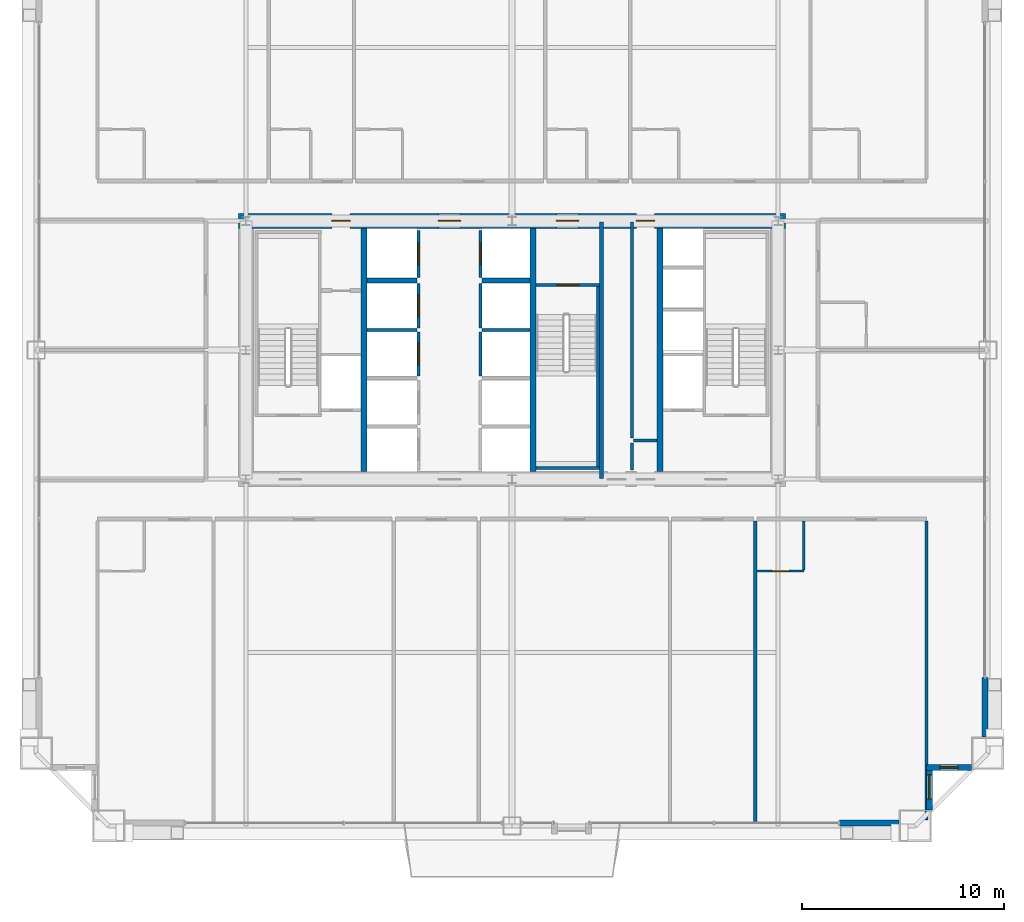
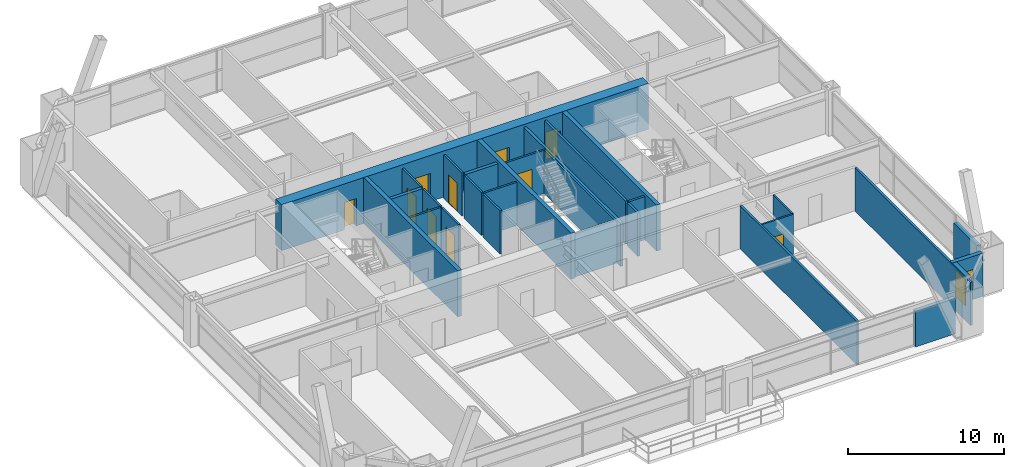
# One storey, part 38 of 41: 29 walls, 10 doors, 2 windows, 12 openings.
"""IFC4 building model written with IfcOpenShell, lengths in metres."""

from ifc_helpers import new_model, si_unit, direction, frame, frame_2d, origin, place, context, subcontext, project, spatial, rectangle, extrude, source, transform, mapped, material, layer, layer_set, type_object, element, fill, save


model = new_model("IFC4")

# Units and contexts
model_context = context("Model", 3, precision=1e-05, world=origin(), true_north=direction((0.0, 1.0)))
body_context = subcontext(model_context, "Body", "Model", "MODEL_VIEW")
ifc_project = project(units=[si_unit("LENGTHUNIT", "METRE"), si_unit("AREAUNIT", "SQUARE_METRE"), si_unit("VOLUMEUNIT", "CUBIC_METRE"), si_unit("PLANEANGLEUNIT", "RADIAN"), si_unit("MASSUNIT", "GRAM", prefix="KILO"), si_unit("THERMODYNAMICTEMPERATUREUNIT", "KELVIN"), si_unit("POWERUNIT", "WATT")], contexts=[model_context])

# Site, building, storey
site_placement = place(None, origin())
site = spatial("IfcSite", under=ifc_project, at=site_placement, CompositionType="ELEMENT")
building_placement = place(site_placement, origin())
building = spatial("IfcBuilding", under=site, at=building_placement, Name="Yuzanri Waterfront Tower", CompositionType="ELEMENT")
storey_placement = place(building_placement, frame((0.0, 0.0, 152.39990234375)))
storey = spatial("IfcBuildingStorey", under=building, at=storey_placement, Name="L40", CompositionType="ELEMENT", Elevation=152.39990234375)

# Wall, opening, door
ifc_material_1 = material(Name="Moisture-Resistant Gypsum Stud Wall", Category="gypsum")
ifc_layer_1 = layer(ifc_material_1, 0.1201171875)
ifc_layer_set_1 = layer_set([ifc_layer_1], Name="Moisture-Resistant Gypsum Stud Wall")
wall_type_1 = type_object("IfcWallType", Name="Bathroom and Kitchen Wet Partition 120", PredefinedType="PARTITIONING", material=ifc_layer_set_1)
wall_1_placement = place(storey_placement, frame((49.14208984375, 14.840087890625, 0.0), z_axis=(0.0, 0.0, 1.0), x_axis=(1.0, 0.0, 0.0)))
wall_1 = element("IfcWall", 1, at=wall_1_placement, inside=storey, type_object=wall_type_1, Name="L40 Partition UW-L40-S6-BS", PredefinedType="PARTITIONING", context=body_context, shape_type="SweptSolid", body=[
    extrude(rectangle(XDim=2.329833984375, YDim=0.1201171875, at=frame_2d((1.1650390625, 0.0))), origin(), (0.0, 0.0, 1.0), 3.380126953125),
])
opening_1_placement = place(wall_1_placement, frame((0.739990234375, 0.0, 0.0)))
opening_1 = element("IfcOpeningElement", 2, at=opening_1_placement, cuts=wall_1, Name="Opening ID-0850", PredefinedType="OPENING", context=body_context, shape_type="SweptSolid", body=[
    extrude(rectangle(XDim=0.85009765625, YDim=2.10009765625, at=frame_2d((0.425048828125, 1.050048828125))), frame((0.0, 0.074951171875, 0.0), z_axis=(0.0, -1.0, 0.0), x_axis=(1.0, 0.0, 0.0)), (0.0, 0.0, 1.0), 0.14990234375),
])
ifc_material_2 = material(Name="Moisture-Resistant Lacquered Timber", Category="wood")
door_type_1 = type_object("IfcDoorType", Name="En-Suite Bathroom and Kitchen Swing Door 850x2100", OperationType="NOTDEFINED", PredefinedType="DOOR", material=ifc_material_2)
shared_shape_1 = source(origin(), body_context, "Body", "SweptSolid", [
    extrude(rectangle(XDim=0.85009765625, YDim=2.10009765625, at=frame_2d((0.425048828125, 1.050048828125))), frame((0.0, 0.02490234375, 0.0), z_axis=(0.0, -1.0, 0.0), x_axis=(1.0, 0.0, 0.0)), (0.0, 0.0, 1.0), 0.050048828125),
])
door_1_placement = place(opening_1_placement, origin())
door_1 = element("IfcDoor", 3, at=door_1_placement, inside=storey, type_object=door_type_1, Name="L40 Guest En-Suite Door", OperationType="SINGLE_SWING_LEFT", OverallHeight=2.10009765625, OverallWidth=0.85009765625, PredefinedType="DOOR", context=body_context, shape_type="MappedRepresentation", body=[
    mapped(shared_shape_1, transform((0.0, 0.0, 0.0), scale=1.0)),
])
fill(opening_1, door_1)

# Wall, opening, window
ifc_material_3 = material(Name="Honed Chongqing Dark Basalt Stone", Category="masonry")
ifc_layer_2 = layer(ifc_material_3, 0.300048828125)
ifc_layer_set_2 = layer_set([ifc_layer_2], Name="Honed Chongqing Dark Basalt Stone")
wall_type_2 = type_object("IfcWallType", Name="Bronze Rainscreen Insulated Spandrel Portal Wall 300", PredefinedType="SOLIDWALL", material=ifc_layer_set_2)
wall_2_placement = place(storey_placement, frame((57.550048828125, 5.10009765625, 0.0), z_axis=(0.0, 0.0, 1.0), x_axis=(1.0, 0.0, 0.0)))
wall_2 = element("IfcWall", 4, at=wall_2_placement, inside=storey, type_object=wall_type_2, Name="L40 Notched Corner Masonry Wall SE-X", PredefinedType="SOLIDWALL", context=body_context, shape_type="SweptSolid", body=[
    extrude(rectangle(XDim=2.25, YDim=0.300048828125, at=frame_2d((1.125, 0.0))), origin(), (0.0, 0.0, 1.0), 3.380126953125),
])
opening_2_placement = place(wall_2_placement, frame((0.675048828125, 0.0, 0.85009765625)))
opening_2 = element("IfcOpeningElement", 5, at=opening_2_placement, cuts=wall_2, Name="Opening WN-05", PredefinedType="OPENING", context=body_context, shape_type="SweptSolid", body=[
    extrude(rectangle(XDim=0.89990234375, YDim=1.5, at=frame_2d((0.449951171875, 0.75))), frame((0.0, 0.1650390625, 0.0), z_axis=(0.0, -1.0, 0.0), x_axis=(1.0, 0.0, 0.0)), (0.0, 0.0, 1.0), 0.329833984375),
])
ifc_material_4 = material(Name="Double-Silver Low-E Insulated Glass", Category="glass")
window_type_1 = type_object("IfcWindowType", Name="Anodized Bronze Service and Stairwell Smoke-Vent Window 900x1500", PartitioningType="SINGLE_PANEL", PredefinedType="WINDOW", material=ifc_material_4)
shared_shape_2 = source(origin(), body_context, "Body", "SweptSolid", [
    extrude(rectangle(XDim=0.89990234375, YDim=1.5, at=frame_2d((0.449951171875, 0.75))), frame((0.0, 0.030029296875, 0.0), z_axis=(0.0, -1.0, 0.0), x_axis=(1.0, 0.0, 0.0)), (0.0, 0.0, 1.0), 0.06005859375),
])
window_1_placement = place(opening_2_placement, origin())
window_1 = element("IfcWindow", 6, at=window_1_placement, inside=storey, type_object=window_type_1, Name="L40 Notched Corner Window SE-X", OverallHeight=1.5, OverallWidth=0.89990234375, PartitioningType="SINGLE_PANEL", PredefinedType="WINDOW", context=body_context, shape_type="MappedRepresentation", body=[
    mapped(shared_shape_2, transform((0.0, 0.0, 0.0), scale=1.0)),
])
fill(opening_2, window_1)

wall_3_placement = place(storey_placement, frame((57.699951171875, 3.0, 0.0), z_axis=(0.0, 0.0, 1.0), x_axis=(0.0, 1.0, 0.0)))
wall_3 = element("IfcWall", 7, at=wall_3_placement, inside=storey, type_object=wall_type_2, Name="L40 Notched Corner Masonry Wall SE-Y", PredefinedType="SOLIDWALL", context=body_context, shape_type="SweptSolid", body=[
    extrude(rectangle(XDim=2.25, YDim=0.300048828125, at=frame_2d((1.125, 0.0))), origin(), (0.0, 0.0, 1.0), 3.380126953125),
])
opening_3_placement = place(wall_3_placement, frame((0.52490234375, 0.0, 0.85009765625)))
opening_3 = element("IfcOpeningElement", 8, at=opening_3_placement, cuts=wall_3, Name="Opening WN-02", PredefinedType="OPENING", context=body_context, shape_type="SweptSolid", body=[
    extrude(rectangle(XDim=1.199951171875, YDim=2.10009765625, at=frame_2d((0.60009765625, 1.050048828125))), frame((0.0, 0.1650390625, 0.0), z_axis=(0.0, -1.0, 0.0), x_axis=(1.0, 0.0, 0.0)), (0.0, 0.0, 1.0), 0.329833984375),
])
ifc_material_5 = material(Name="Double-Silver Low-E Insulated Glass", Category="glass")
window_type_2 = type_object("IfcWindowType", Name="Anodized Bronze Notched Corner Deep-Set Slot Window 1200x2100", PartitioningType="SINGLE_PANEL", PredefinedType="WINDOW", material=ifc_material_5)
shared_shape_3 = source(origin(), body_context, "Body", "SweptSolid", [
    extrude(rectangle(XDim=1.199951171875, YDim=2.10009765625, at=frame_2d((0.60009765625, 1.050048828125))), frame((0.0, 0.030029296875, 0.0), z_axis=(0.0, -1.0, 0.0), x_axis=(1.0, 0.0, 0.0)), (0.0, 0.0, 1.0), 0.06005859375),
])
window_2_placement = place(opening_3_placement, origin())
window_2 = element("IfcWindow", 9, at=window_2_placement, inside=storey, type_object=window_type_2, Name="L40 Notched Corner Window SE-Y", OverallHeight=2.10009765625, OverallWidth=1.199951171875, PartitioningType="SINGLE_PANEL", PredefinedType="WINDOW", context=body_context, shape_type="MappedRepresentation", body=[
    mapped(shared_shape_3, transform((0.0, 0.0, 0.0), scale=1.0)),
])
fill(opening_3, window_2)

# Wall, openings, doors
ifc_material_6 = material(Name="Concrete C55", Category="concrete")
ifc_layer_3 = layer(ifc_material_6, 0.75)
ifc_layer_set_3 = layer_set([ifc_layer_3], Name="Concrete C55")
wall_type_3 = type_object("IfcWallType", Name="Concrete C55 Low-Mid Zone Core Shear Wall 750", PredefinedType="SHEAR", material=ifc_layer_set_3)
wall_4_placement = place(storey_placement, frame((23.425048828125, 32.199951171875, 0.0), z_axis=(0.0, 0.0, 1.0), x_axis=(1.0, 0.0, 0.0)))
wall_4 = element("IfcWall", 10, at=wall_4_placement, inside=storey, type_object=wall_type_3, Name="L40 Core North Shear Wall", PredefinedType="SHEAR", context=body_context, shape_type="SweptSolid", body=[
    extrude(rectangle(XDim=27.14990234375, YDim=0.75, at=frame_2d((13.574951171875, 0.0))), origin(), (0.0, 0.0, 1.0), 3.60009765625),
])
opening_4_placement = place(wall_4_placement, frame((4.64501953125, 0.0, 0.0)))
opening_4 = element("IfcOpeningElement", 11, at=opening_4_placement, cuts=wall_4, Name="Opening FD-0900", PredefinedType="OPENING", context=body_context, shape_type="SweptSolid", body=[
    extrude(rectangle(XDim=0.89990234375, YDim=2.14990234375, at=frame_2d((0.449951171875, 1.074951171875))), frame((0.0, 0.389892578125, 0.0), z_axis=(0.0, -1.0, 0.0), x_axis=(1.0, 0.0, 0.0)), (0.0, 0.0, 1.0), 0.77978515625),
])
opening_5_placement = place(wall_4_placement, frame((9.925048828125, 0.0, 0.0)))
opening_5 = element("IfcOpeningElement", 12, at=opening_5_placement, cuts=wall_4, Name="Opening FD-1100", PredefinedType="OPENING", context=body_context, shape_type="SweptSolid", body=[
    extrude(rectangle(XDim=1.10009765625, YDim=2.199951171875, at=frame_2d((0.550048828125, 1.10009765625))), frame((0.0, 0.389892578125, 0.0), z_axis=(0.0, -1.0, 0.0), x_axis=(1.0, 0.0, 0.0)), (0.0, 0.0, 1.0), 0.77978515625),
])
opening_6_placement = place(wall_4_placement, frame((15.77490234375, 0.0, 0.0)))
opening_6 = element("IfcOpeningElement", 13, at=opening_6_placement, cuts=wall_4, Name="Opening FD-1100", PredefinedType="OPENING", context=body_context, shape_type="SweptSolid", body=[
    extrude(rectangle(XDim=1.10009765625, YDim=2.199951171875, at=frame_2d((0.550048828125, 1.10009765625))), frame((0.0, 0.389892578125, 0.0), z_axis=(0.0, -1.0, 0.0), x_axis=(1.0, 0.0, 0.0)), (0.0, 0.0, 1.0), 0.77978515625),
])
opening_7_placement = place(wall_4_placement, frame((19.7451171875, 0.0, 0.0)))
opening_7 = element("IfcOpeningElement", 14, at=opening_7_placement, cuts=wall_4, Name="Opening FD-0900", PredefinedType="OPENING", context=body_context, shape_type="SweptSolid", body=[
    extrude(rectangle(XDim=0.89990234375, YDim=2.14990234375, at=frame_2d((0.449951171875, 1.074951171875))), frame((0.0, 0.389892578125, 0.0), z_axis=(0.0, -1.0, 0.0), x_axis=(1.0, 0.0, 0.0)), (0.0, 0.0, 1.0), 0.77978515625),
])
ifc_material_7 = material(Name="Painted Galvanized Fire Steel", Category="steel")
door_type_2 = type_object("IfcDoorType", Name="Smoke-Proof Stair and Lobby Fire Door 1100x2200", OperationType="NOTDEFINED", PredefinedType="DOOR", material=ifc_material_7)
shared_shape_4 = source(origin(), body_context, "Body", "SweptSolid", [
    extrude(rectangle(XDim=1.10009765625, YDim=2.199951171875, at=frame_2d((0.550048828125, 1.10009765625))), frame((0.0, 0.02490234375, 0.0), z_axis=(0.0, -1.0, 0.0), x_axis=(1.0, 0.0, 0.0)), (0.0, 0.0, 1.0), 0.050048828125),
])
door_2_placement = place(opening_5_placement, origin())
door_2 = element("IfcDoor", 15, at=door_2_placement, inside=storey, type_object=door_type_2, Name="L40 Central Lift Lobby North Door", OperationType="SINGLE_SWING_RIGHT", OverallHeight=2.199951171875, OverallWidth=1.10009765625, PredefinedType="DOOR", context=body_context, shape_type="MappedRepresentation", body=[
    mapped(shared_shape_4, transform((0.0, 0.0, 0.0), scale=1.0)),
])
fill(opening_5, door_2)
door_3_placement = place(opening_6_placement, origin())
door_3 = element("IfcDoor", 16, at=door_3_placement, inside=storey, type_object=door_type_2, Name="L40 North Stair Lobby Door", OperationType="SINGLE_SWING_LEFT", OverallHeight=2.199951171875, OverallWidth=1.10009765625, PredefinedType="DOOR", context=body_context, shape_type="MappedRepresentation", body=[
    mapped(shared_shape_4, transform((0.0, 0.0, 0.0), scale=1.0)),
])
fill(opening_6, door_3)
ifc_material_8 = material(Name="Painted Galvanized Fire Steel", Category="steel")
door_type_3 = type_object("IfcDoorType", Name="Riser and Service Room Fire Door 900x2150", OperationType="NOTDEFINED", PredefinedType="DOOR", material=ifc_material_8)
shared_shape_5 = source(origin(), body_context, "Body", "SweptSolid", [
    extrude(rectangle(XDim=0.89990234375, YDim=2.14990234375, at=frame_2d((0.449951171875, 1.074951171875))), frame((0.0, 0.02490234375, 0.0), z_axis=(0.0, -1.0, 0.0), x_axis=(1.0, 0.0, 0.0)), (0.0, 0.0, 1.0), 0.050048828125),
])
door_4_placement = place(opening_4_placement, origin())
door_4 = element("IfcDoor", 17, at=door_4_placement, inside=storey, type_object=door_type_3, Name="L40 Telecom Riser Door", OperationType="SINGLE_SWING_LEFT", OverallHeight=2.14990234375, OverallWidth=0.89990234375, PredefinedType="DOOR", context=body_context, shape_type="MappedRepresentation", body=[
    mapped(shared_shape_5, transform((0.0, 0.0, 0.0), scale=1.0)),
])
fill(opening_4, door_4)
door_5_placement = place(opening_7_placement, origin())
door_5 = element("IfcDoor", 18, at=door_5_placement, inside=storey, type_object=door_type_3, Name="L40 Linen Store Room", OperationType="SINGLE_SWING_LEFT", OverallHeight=2.14990234375, OverallWidth=0.89990234375, PredefinedType="DOOR", context=body_context, shape_type="MappedRepresentation", body=[
    mapped(shared_shape_5, transform((0.0, 0.0, 0.0), scale=1.0)),
])
fill(opening_7, door_5)

# Wall, opening, door
ifc_material_9 = material(Name="Concrete C40", Category="concrete")
ifc_layer_4 = layer(ifc_material_9, 0.139892578125)
ifc_layer_set_4 = layer_set([ifc_layer_4], Name="Concrete C40")
wall_type_4 = type_object("IfcWallType", Name="Core Stair Liner and Hoistway Shaft Wall 140", PredefinedType="SOLIDWALL", material=ifc_layer_set_4)
wall_5_placement = place(storey_placement, frame((32.3701171875, 24.5, 0.0), z_axis=(0.0, 0.0, 1.0), x_axis=(0.0, 1.0, 0.0)))
wall_5 = element("IfcWall", 19, at=wall_5_placement, inside=storey, type_object=wall_type_4, Name="L40 Lift PL-03 Front Shaft Wall", PredefinedType="SOLIDWALL", context=body_context, shape_type="SweptSolid", body=[
    extrude(rectangle(XDim=2.199951171875, YDim=0.139892578125, at=frame_2d((1.10009765625, 0.0))), origin(), (0.0, 0.0, 1.0), 3.380126953125),
])
opening_8_placement = place(wall_5_placement, frame((0.550048828125, 0.0, 0.0)))
opening_8 = element("IfcOpeningElement", 20, at=opening_8_placement, cuts=wall_5, Name="Opening LD-PL-03", PredefinedType="OPENING", context=body_context, shape_type="SweptSolid", body=[
    extrude(rectangle(XDim=1.10009765625, YDim=2.199951171875, at=frame_2d((0.550048828125, 1.10009765625))), frame((0.0, 0.0849609375, 0.0), z_axis=(0.0, -1.0, 0.0), x_axis=(1.0, 0.0, 0.0)), (0.0, 0.0, 1.0), 0.169677734375),
])
ifc_material_10 = material(Name="Brushed Bronze and Stainless Steel Cab", Category="steel")
door_type_4 = type_object("IfcDoorType", Name="Center-Parting Bronze Lift Landing Sliding Door 1100x2200", OperationType="NOTDEFINED", PredefinedType="DOOR", material=ifc_material_10)
shared_shape_6 = source(origin(), body_context, "Body", "SweptSolid", [
    extrude(rectangle(XDim=1.10009765625, YDim=2.199951171875, at=frame_2d((0.550048828125, 1.10009765625))), frame((0.0, 0.02490234375, 0.0), z_axis=(0.0, -1.0, 0.0), x_axis=(1.0, 0.0, 0.0)), (0.0, 0.0, 1.0), 0.050048828125),
])
door_6_placement = place(opening_8_placement, origin())
door_6 = element("IfcDoor", 21, at=door_6_placement, inside=storey, type_object=door_type_4, Name="L40 PL-03 Lift Landing Sliding Door", OperationType="SLIDING_TO_LEFT", OverallHeight=2.199951171875, OverallWidth=1.10009765625, PredefinedType="DOOR", context=body_context, shape_type="MappedRepresentation", body=[
    mapped(shared_shape_6, transform((0.0, 0.0, 0.0), scale=1.0)),
])
fill(opening_8, door_6)

wall_6_placement = place(storey_placement, frame((32.3701171875, 26.89990234375, 0.0), z_axis=(0.0, 0.0, 1.0), x_axis=(0.0, 1.0, 0.0)))
wall_6 = element("IfcWall", 22, at=wall_6_placement, inside=storey, type_object=wall_type_4, Name="L40 Lift PL-04 Front Shaft Wall", PredefinedType="SOLIDWALL", context=body_context, shape_type="SweptSolid", body=[
    extrude(rectangle(XDim=2.2001953125, YDim=0.139892578125, at=frame_2d((1.10009765625, 0.0))), origin(), (0.0, 0.0, 1.0), 3.380126953125),
])
opening_9_placement = place(wall_6_placement, frame((0.550048828125, 0.0, 0.0)))
opening_9 = element("IfcOpeningElement", 23, at=opening_9_placement, cuts=wall_6, Name="Opening LD-PL-04", PredefinedType="OPENING", context=body_context, shape_type="SweptSolid", body=[
    extrude(rectangle(XDim=1.10009765625, YDim=2.199951171875, at=frame_2d((0.550048828125, 1.10009765625))), frame((0.0, 0.0849609375, 0.0), z_axis=(0.0, -1.0, 0.0), x_axis=(1.0, 0.0, 0.0)), (0.0, 0.0, 1.0), 0.169677734375),
])
door_7_placement = place(opening_9_placement, origin())
door_7 = element("IfcDoor", 24, at=door_7_placement, inside=storey, type_object=door_type_4, Name="L40 PL-04 Lift Landing Sliding Door", OperationType="SLIDING_TO_RIGHT", OverallHeight=2.199951171875, OverallWidth=1.10009765625, PredefinedType="DOOR", context=body_context, shape_type="MappedRepresentation", body=[
    mapped(shared_shape_6, transform((0.0, 0.0, 0.0), scale=1.0)),
])
fill(opening_9, door_7)

wall_7_placement = place(storey_placement, frame((32.3701171875, 29.39990234375, 0.0), z_axis=(0.0, 0.0, 1.0), x_axis=(0.0, 1.0, 0.0)))
wall_7 = element("IfcWall", 25, at=wall_7_placement, inside=storey, type_object=wall_type_4, Name="L40 Lift SL-01 Front Shaft Wall", PredefinedType="SOLIDWALL", context=body_context, shape_type="SweptSolid", body=[
    extrude(rectangle(XDim=2.340087890625, YDim=0.139892578125, at=frame_2d((1.169921875, 0.0))), origin(), (0.0, 0.0, 1.0), 3.380126953125),
])
opening_10_placement = place(wall_7_placement, frame((0.6201171875, 0.0, 0.0)))
opening_10 = element("IfcOpeningElement", 26, at=opening_10_placement, cuts=wall_7, Name="Opening LD-SL-01", PredefinedType="OPENING", context=body_context, shape_type="SweptSolid", body=[
    extrude(rectangle(XDim=1.10009765625, YDim=2.199951171875, at=frame_2d((0.550048828125, 1.10009765625))), frame((0.0, 0.0849609375, 0.0), z_axis=(0.0, -1.0, 0.0), x_axis=(1.0, 0.0, 0.0)), (0.0, 0.0, 1.0), 0.169677734375),
])
door_8_placement = place(opening_10_placement, origin())
door_8 = element("IfcDoor", 27, at=door_8_placement, inside=storey, type_object=door_type_4, Name="L40 SL-01 Lift Landing Sliding Door", OperationType="SLIDING_TO_LEFT", OverallHeight=2.199951171875, OverallWidth=1.10009765625, PredefinedType="DOOR", context=body_context, shape_type="MappedRepresentation", body=[
    mapped(shared_shape_6, transform((0.0, 0.0, 0.0), scale=1.0)),
])
fill(opening_10, door_8)

wall_8_placement = place(storey_placement, frame((35.429931640625, 29.39990234375, 0.0), z_axis=(0.0, 0.0, 1.0), x_axis=(0.0, 1.0, 0.0)))
wall_8 = element("IfcWall", 28, at=wall_8_placement, inside=storey, type_object=wall_type_4, Name="L40 Lift SL-02 Front Shaft Wall", PredefinedType="SOLIDWALL", context=body_context, shape_type="SweptSolid", body=[
    extrude(rectangle(XDim=2.340087890625, YDim=0.139892578125, at=frame_2d((1.169921875, 0.0))), origin(), (0.0, 0.0, 1.0), 3.380126953125),
])
opening_11_placement = place(wall_8_placement, frame((0.6201171875, 0.0, 0.0)))
opening_11 = element("IfcOpeningElement", 29, at=opening_11_placement, cuts=wall_8, Name="Opening LD-SL-02", PredefinedType="OPENING", context=body_context, shape_type="SweptSolid", body=[
    extrude(rectangle(XDim=1.10009765625, YDim=2.199951171875, at=frame_2d((0.550048828125, 1.10009765625))), frame((0.0, 0.0849609375, 0.0), z_axis=(0.0, -1.0, 0.0), x_axis=(1.0, 0.0, 0.0)), (0.0, 0.0, 1.0), 0.169677734375),
])
door_9_placement = place(opening_11_placement, origin())
door_9 = element("IfcDoor", 30, at=door_9_placement, inside=storey, type_object=door_type_4, Name="L40 SL-02 Lift Landing Sliding Door", OperationType="SLIDING_TO_RIGHT", OverallHeight=2.199951171875, OverallWidth=1.10009765625, PredefinedType="DOOR", context=body_context, shape_type="MappedRepresentation", body=[
    mapped(shared_shape_6, transform((0.0, 0.0, 0.0), scale=1.0)),
])
fill(opening_11, door_9)

wall_9_placement = place(storey_placement, frame((38.199951171875, 29.030029296875, 0.0), z_axis=(0.0, 0.0, 1.0), x_axis=(1.0, 0.0, 0.0)))
wall_9 = element("IfcWall", 31, at=wall_9_placement, inside=storey, type_object=wall_type_4, Name="L40 Shaft Wall STW-L40-ST-03-N", PredefinedType="SOLIDWALL", context=body_context, shape_type="SweptSolid", body=[
    extrude(rectangle(XDim=3.14013671875, YDim=0.139892578125, at=frame_2d((1.570068359375, 0.0))), origin(), (0.0, 0.0, 1.0), 3.380126953125),
])
opening_12_placement = place(wall_9_placement, frame((1.02001953125, 0.0, 0.0)))
opening_12 = element("IfcOpeningElement", 32, at=opening_12_placement, cuts=wall_9, Name="Opening FD-1100", PredefinedType="OPENING", context=body_context, shape_type="SweptSolid", body=[
    extrude(rectangle(XDim=1.10009765625, YDim=2.199951171875, at=frame_2d((0.550048828125, 1.10009765625))), frame((0.0, 0.0849609375, 0.0), z_axis=(0.0, -1.0, 0.0), x_axis=(1.0, 0.0, 0.0)), (0.0, 0.0, 1.0), 0.169677734375),
])
door_10_placement = place(opening_12_placement, origin())
door_10 = element("IfcDoor", 33, at=door_10_placement, inside=storey, type_object=door_type_2, Name="L40 Stair ST-03 Fire Door", OperationType="SINGLE_SWING_LEFT", OverallHeight=2.199951171875, OverallWidth=1.10009765625, PredefinedType="DOOR", context=body_context, shape_type="MappedRepresentation", body=[
    mapped(shared_shape_4, transform((0.0, 0.0, 0.0), scale=1.0)),
])
fill(opening_12, door_10)

# Walls
ifc_material_11 = material(Name="Concrete C50", Category="concrete")
ifc_layer_5 = layer(ifc_material_11, 0.300048828125)
ifc_layer_set_5 = layer_set([ifc_layer_5], Name="Concrete C50")
wall_type_5 = type_object("IfcWallType", Name="Concrete C50 Internal Core Shaft Structural Wall 300", PredefinedType="SOLIDWALL", material=ifc_layer_set_5)
shared_shape_7 = source(origin(), body_context, "Body", "SweptSolid", [
    extrude(rectangle(XDim=12.050048828125, YDim=0.300048828125, at=frame_2d((6.02490234375, 0.0))), origin(), (0.0, 0.0, 1.0), 3.60009765625),
])
for number, where, z_axis, x_axis, name in (
    (34, (29.64990234375, 19.77490234375, 0.0), (0.0, 0.0, 1.0), (0.0, 1.0, 0.0), "L40 Core Internal Structural Web Wall 1"),
    (35, (38.050048828125, 19.77490234375, 0.0), (0.0, 0.0, 1.0), (0.0, 1.0, 0.0), "L40 Core Internal Structural Web Wall 2"),
    (36, (44.35009765625, 19.77490234375, 0.0), (0.0, 0.0, 1.0), (0.0, 1.0, 0.0), "L40 Core Internal Structural Web Wall 3"),
):
    element("IfcWall", number, at=place(storey_placement, frame(where, z_axis=z_axis, x_axis=x_axis)), inside=storey, type_object=wall_type_5, Name=name, PredefinedType="SOLIDWALL", context=body_context, shape_type="MappedRepresentation", body=[
        mapped(shared_shape_7, transform((0.0, 0.0, 0.0), scale=1.0)),
    ])
shared_shape_8 = source(origin(), body_context, "Body", "SweptSolid", [
    extrude(rectangle(XDim=2.949951171875, YDim=0.300048828125, at=frame_2d((1.47509765625, 0.0))), origin(), (0.0, 0.0, 1.0), 2.775146484375),
])
for number, where, z_axis, x_axis, name in (
    (37, (53.25, 2.35009765625, 0.0), (0.0, 0.0, 1.0), (1.0, 0.0, 0.0), "L40 S Right Braced Masonry Shoulder"),
    (38, (60.449951171875, 6.60009765625, 0.0), (0.0, 0.0, 1.0), (0.0, 1.0, 0.0), "L40 E Left Braced Masonry Shoulder"),
):
    element("IfcWall", number, at=place(storey_placement, frame(where, z_axis=z_axis, x_axis=x_axis)), inside=storey, type_object=wall_type_2, Name=name, PredefinedType="SOLIDWALL", context=body_context, shape_type="MappedRepresentation", body=[
        mapped(shared_shape_8, transform((0.0, 0.0, 0.0), scale=1.0)),
    ])
shared_shape_9 = source(origin(), body_context, "Body", "SweptSolid", [
    extrude(rectangle(XDim=2.5, YDim=0.139892578125, at=frame_2d((1.25, 0.0))), origin(), (0.0, 0.0, 1.0), 3.380126953125),
])
wall_10_placement = place(storey_placement, frame((29.800048828125, 26.800048828125, 0.0), z_axis=(0.0, 0.0, 1.0), x_axis=(1.0, 0.0, 0.0)))
element("IfcWall", 39, at=wall_10_placement, inside=storey, type_object=wall_type_4, Name="L40 Lift PL-03 Divider Wall", PredefinedType="SOLIDWALL", context=body_context, shape_type="MappedRepresentation", body=[
    mapped(shared_shape_9, transform((0.0, 0.0, 0.0), scale=1.0)),
])
ifc_material_12 = material(Name="Concrete C40", Category="concrete")
ifc_layer_6 = layer(ifc_material_12, 0.25)
ifc_layer_set_6 = layer_set([ifc_layer_6], Name="Concrete C40")
wall_type_6 = type_object("IfcWallType", Name="Smoke-Proof Stair and Lift Shaft Wall 250", PredefinedType="SOLIDWALL", material=ifc_layer_set_6)
shared_shape_10 = source(origin(), body_context, "Body", "SweptSolid", [
    extrude(rectangle(XDim=2.5, YDim=0.25, at=frame_2d((1.25, 0.0))), origin(), (0.0, 0.0, 1.0), 3.380126953125),
])
wall_11_placement = place(storey_placement, frame((29.800048828125, 29.25, 0.0), z_axis=(0.0, 0.0, 1.0), x_axis=(1.0, 0.0, 0.0)))
element("IfcWall", 40, at=wall_11_placement, inside=storey, type_object=wall_type_6, Name="L40 Lift SL-01 South Shaft Wall", PredefinedType="SOLIDWALL", context=body_context, shape_type="MappedRepresentation", body=[
    mapped(shared_shape_10, transform((0.0, 0.0, 0.0), scale=1.0)),
])
shared_shape_11 = source(origin(), body_context, "Body", "SweptSolid", [
    extrude(rectangle(XDim=2.39990234375, YDim=0.139892578125, at=frame_2d((1.199951171875, 0.0))), origin(), (0.0, 0.0, 1.0), 3.380126953125),
])
wall_12_placement = place(storey_placement, frame((35.5, 26.800048828125, 0.0), z_axis=(0.0, 0.0, 1.0), x_axis=(1.0, 0.0, 0.0)))
element("IfcWall", 41, at=wall_12_placement, inside=storey, type_object=wall_type_4, Name="L40 Lift PL-07 Divider Wall", PredefinedType="SOLIDWALL", context=body_context, shape_type="MappedRepresentation", body=[
    mapped(shared_shape_11, transform((0.0, 0.0, 0.0), scale=1.0)),
])
shared_shape_12 = source(origin(), body_context, "Body", "SweptSolid", [
    extrude(rectangle(XDim=2.199951171875, YDim=0.139892578125, at=frame_2d((1.10009765625, 0.0))), origin(), (0.0, 0.0, 1.0), 3.380126953125),
])
wall_13_placement = place(storey_placement, frame((35.429931640625, 24.5, 0.0), z_axis=(0.0, 0.0, 1.0), x_axis=(0.0, 1.0, 0.0)))
element("IfcWall", 42, at=wall_13_placement, inside=storey, type_object=wall_type_4, Name="L40 Lift PL-07 Front Shaft Wall", PredefinedType="SOLIDWALL", context=body_context, shape_type="MappedRepresentation", body=[
    mapped(shared_shape_12, transform((0.0, 0.0, 0.0), scale=1.0)),
])
shared_shape_13 = source(origin(), body_context, "Body", "SweptSolid", [
    extrude(rectangle(XDim=2.2001953125, YDim=0.139892578125, at=frame_2d((1.10009765625, 0.0))), origin(), (0.0, 0.0, 1.0), 3.380126953125),
])
wall_14_placement = place(storey_placement, frame((35.429931640625, 26.89990234375, 0.0), z_axis=(0.0, 0.0, 1.0), x_axis=(0.0, 1.0, 0.0)))
element("IfcWall", 43, at=wall_14_placement, inside=storey, type_object=wall_type_4, Name="L40 Lift PL-08 Front Shaft Wall", PredefinedType="SOLIDWALL", context=body_context, shape_type="MappedRepresentation", body=[
    mapped(shared_shape_13, transform((0.0, 0.0, 0.0), scale=1.0)),
])
shared_shape_14 = source(origin(), body_context, "Body", "SweptSolid", [
    extrude(rectangle(XDim=2.39990234375, YDim=0.25, at=frame_2d((1.199951171875, 0.0))), origin(), (0.0, 0.0, 1.0), 3.380126953125),
])
wall_15_placement = place(storey_placement, frame((35.5, 29.25, 0.0), z_axis=(0.0, 0.0, 1.0), x_axis=(1.0, 0.0, 0.0)))
element("IfcWall", 44, at=wall_15_placement, inside=storey, type_object=wall_type_6, Name="L40 Lift SL-02 South Shaft Wall", PredefinedType="SOLIDWALL", context=body_context, shape_type="MappedRepresentation", body=[
    mapped(shared_shape_14, transform((0.0, 0.0, 0.0), scale=1.0)),
])
shared_shape_15 = source(origin(), body_context, "Body", "SweptSolid", [
    extrude(rectangle(XDim=3.14013671875, YDim=0.139892578125, at=frame_2d((1.570068359375, 0.0))), origin(), (0.0, 0.0, 1.0), 3.380126953125),
])
wall_16_placement = place(storey_placement, frame((38.199951171875, 19.949951171875, 0.0), z_axis=(0.0, 0.0, 1.0), x_axis=(1.0, 0.0, 0.0)))
element("IfcWall", 45, at=wall_16_placement, inside=storey, type_object=wall_type_4, Name="L40 Stair ST-03 South Shaft Wall", PredefinedType="SOLIDWALL", context=body_context, shape_type="MappedRepresentation", body=[
    mapped(shared_shape_15, transform((0.0, 0.0, 0.0), scale=1.0)),
])
shared_shape_16 = source(origin(), body_context, "Body", "SweptSolid", [
    extrude(rectangle(XDim=8.93994140625, YDim=0.139892578125, at=frame_2d((4.469970703125, 0.0))), origin(), (0.0, 0.0, 1.0), 3.380126953125),
])
wall_17_placement = place(storey_placement, frame((41.27001953125, 20.02001953125, 0.0), z_axis=(0.0, 0.0, 1.0), x_axis=(0.0, 1.0, 0.0)))
element("IfcWall", 46, at=wall_17_placement, inside=storey, type_object=wall_type_4, Name="L40 Stair ST-03 East Shaft Wall", PredefinedType="SOLIDWALL", context=body_context, shape_type="MappedRepresentation", body=[
    mapped(shared_shape_16, transform((0.0, 0.0, 0.0), scale=1.0)),
])
ifc_material_13 = material(Name="Gypsum Fireboard Acoustic Stud Wall", Category="gypsum")
ifc_layer_7 = layer(ifc_material_13, 0.159912109375)
ifc_layer_set_7 = layer_set([ifc_layer_7], Name="Gypsum Fireboard Acoustic Stud Wall")
wall_type_7 = type_object("IfcWallType", Name="Acoustic Suite Demising Partition 160", PredefinedType="PARTITIONING", material=ifc_layer_set_7)
shared_shape_17 = source(origin(), body_context, "Body", "SweptSolid", [
    extrude(rectangle(XDim=1.33984375, YDim=0.159912109375, at=frame_2d((0.669921875, 0.0))), origin(), (0.0, 0.0, 1.0), 3.380126953125),
])
wall_18_placement = place(storey_placement, frame((42.949951171875, 19.860107421875, 0.0), z_axis=(0.0, 0.0, 1.0), x_axis=(0.0, 1.0, 0.0)))
element("IfcWall", 47, at=wall_18_placement, inside=storey, type_object=wall_type_7, Name="L40 East Wet Riser West Wall", PredefinedType="PARTITIONING", context=body_context, shape_type="MappedRepresentation", body=[
    mapped(shared_shape_17, transform((0.0, 0.0, 0.0), scale=1.0)),
])
shared_shape_18 = source(origin(), body_context, "Body", "SweptSolid", [
    extrude(rectangle(XDim=1.169921875, YDim=0.159912109375, at=frame_2d((0.5849609375, 0.0))), origin(), (0.0, 0.0, 1.0), 3.380126953125),
])
wall_19_placement = place(storey_placement, frame((43.030029296875, 21.320068359375, 0.0), z_axis=(0.0, 0.0, 1.0), x_axis=(1.0, 0.0, 0.0)))
element("IfcWall", 48, at=wall_19_placement, inside=storey, type_object=wall_type_7, Name="L40 East Wet Riser North Wall", PredefinedType="PARTITIONING", context=body_context, shape_type="MappedRepresentation", body=[
    mapped(shared_shape_18, transform((0.0, 0.0, 0.0), scale=1.0)),
])
ifc_material_14 = material(Name="Autoclaved Aerated Concrete Blockwork", Category="masonry")
ifc_layer_8 = layer(ifc_material_14, 0.199951171875)
ifc_layer_set_8 = layer_set([ifc_layer_8], Name="Autoclaved Aerated Concrete Blockwork")
wall_type_8 = type_object("IfcWallType", Name="Corridor and Unit Party Fire Wall 200", PredefinedType="PARTITIONING", material=ifc_layer_set_8)
shared_shape_19 = source(origin(), body_context, "Body", "SweptSolid", [
    extrude(rectangle(XDim=12.719970703125, YDim=0.199951171875, at=frame_2d((6.35986328125, 0.0))), origin(), (0.0, 0.0, 1.0), 3.380126953125),
])
wall_20_placement = place(storey_placement, frame((41.449951171875, 19.43994140625, 0.0), z_axis=(0.0, 0.0, 1.0), x_axis=(0.0, 1.0, 0.0)))
element("IfcWall", 49, at=wall_20_placement, inside=storey, type_object=wall_type_8, Name="L40 Core BOH West Wall 1", PredefinedType="PARTITIONING", context=body_context, shape_type="MappedRepresentation", body=[
    mapped(shared_shape_19, transform((0.0, 0.0, 0.0), scale=1.0)),
])
shared_shape_20 = source(origin(), body_context, "Body", "SweptSolid", [
    extrude(rectangle(XDim=2.420166015625, YDim=0.1201171875, at=frame_2d((1.2099609375, 0.0))), origin(), (0.0, 0.0, 1.0), 3.380126953125),
])
wall_21_placement = place(storey_placement, frame((51.471923828125, 14.89990234375, 0.0), z_axis=(0.0, 0.0, 1.0), x_axis=(0.0, 1.0, 0.0)))
element("IfcWall", 50, at=wall_21_placement, inside=storey, type_object=wall_type_1, Name="L40-S6 En-Suite Side Wall", PredefinedType="PARTITIONING", context=body_context, shape_type="MappedRepresentation", body=[
    mapped(shared_shape_20, transform((0.0, 0.0, 0.0), scale=1.0)),
])
shared_shape_21 = source(origin(), body_context, "Body", "SweptSolid", [
    extrude(rectangle(XDim=10.719970703125, YDim=0.159912109375, at=frame_2d((5.35986328125, 0.0))), origin(), (0.0, 0.0, 1.0), 3.380126953125),
])
wall_22_placement = place(storey_placement, frame((42.949951171875, 21.43994140625, 0.0), z_axis=(0.0, 0.0, 1.0), x_axis=(0.0, 1.0, 0.0)))
element("IfcWall", 51, at=wall_22_placement, inside=storey, type_object=wall_type_7, Name="L40 Core BOH Mid Wall 2", PredefinedType="PARTITIONING", context=body_context, shape_type="MappedRepresentation", body=[
    mapped(shared_shape_21, transform((0.0, 0.0, 0.0), scale=1.0)),
])
shared_shape_22 = source(origin(), body_context, "Body", "SweptSolid", [
    extrude(rectangle(XDim=14.969970703125, YDim=0.159912109375, at=frame_2d((7.48486328125, 0.0))), origin(), (0.0, 0.0, 1.0), 3.380126953125),
])
wall_23_placement = place(storey_placement, frame((49.06201171875, 2.35009765625, 0.0), z_axis=(0.0, 0.0, 1.0), x_axis=(0.0, 1.0, 0.0)))
element("IfcWall", 52, at=wall_23_placement, inside=storey, type_object=wall_type_7, Name="L40-S5 Party Wall", PredefinedType="PARTITIONING", context=body_context, shape_type="MappedRepresentation", body=[
    mapped(shared_shape_22, transform((0.0, 0.0, 0.0), scale=1.0)),
])
shared_shape_23 = source(origin(), body_context, "Body", "SweptSolid", [
    extrude(rectangle(XDim=14.820068359375, YDim=0.159912109375, at=frame_2d((7.41015625, 0.0))), origin(), (0.0, 0.0, 1.0), 3.380126953125),
])
wall_24_placement = place(storey_placement, frame((57.550048828125, 2.5, 0.0), z_axis=(0.0, 0.0, 1.0), x_axis=(0.0, 1.0, 0.0)))
element("IfcWall", 53, at=wall_24_placement, inside=storey, type_object=wall_type_7, Name="L40 South Band East End Wall", PredefinedType="PARTITIONING", context=body_context, shape_type="MappedRepresentation", body=[
    mapped(shared_shape_23, transform((0.0, 0.0, 0.0), scale=1.0)),
])

save(model, "model.ifc")
